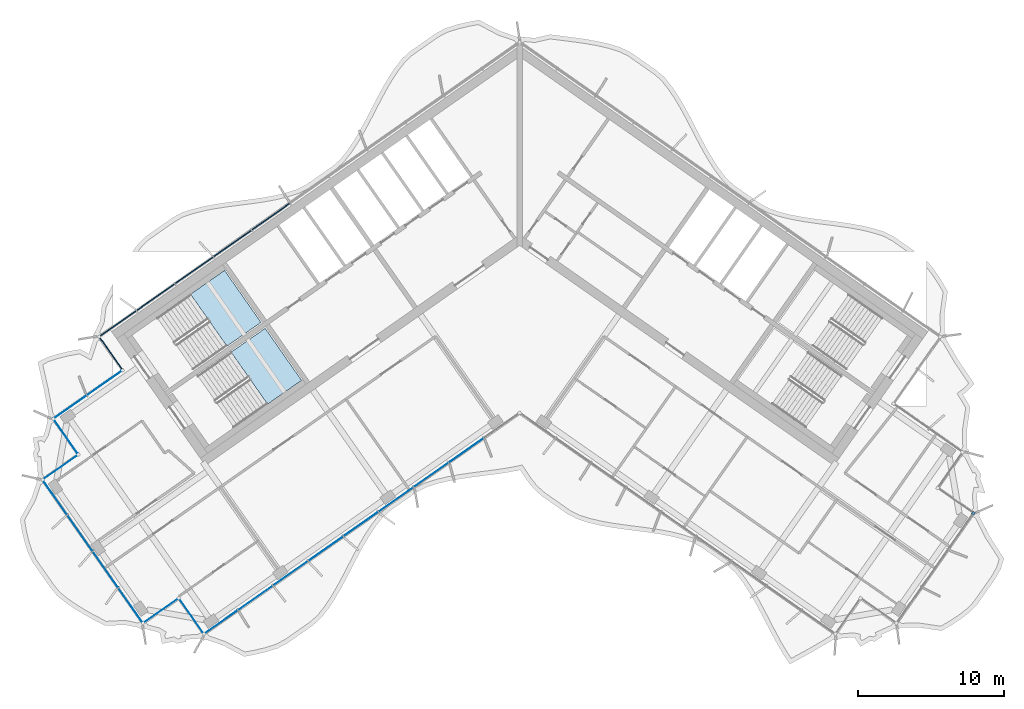
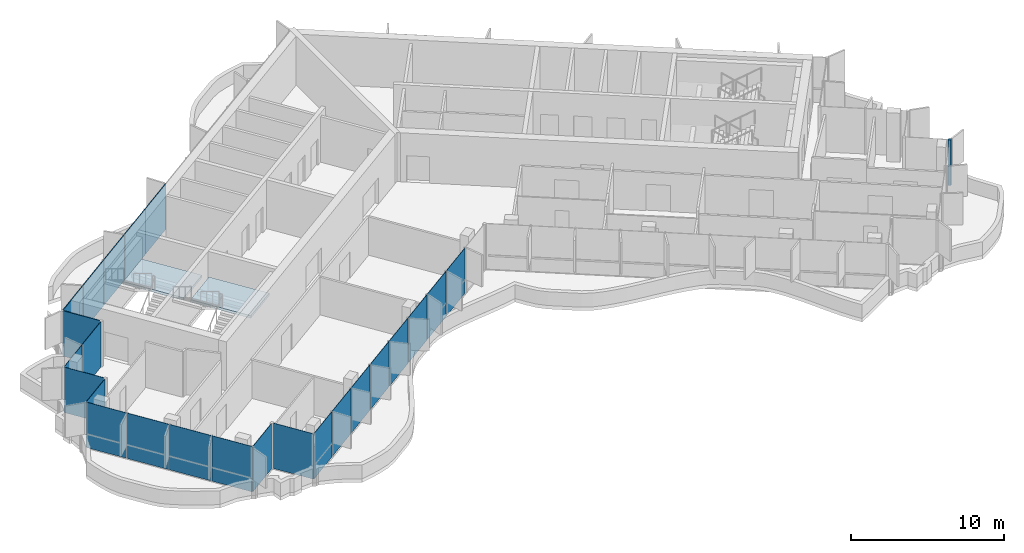
# One storey, part 7 of 18: 24 plates, 2 slabs, 1 member, 4 elements without a shape of their own.
"""IFC4 building model written with IfcOpenShell, lengths in metres."""

from ifc_helpers import new_model, si_unit, direction, frame, origin, origin_2d, place, context, subcontext, project, spatial, polyline, rectangle, outline, extrude, material, layer, layer_set, material_profile, profile_set, type_object, element, aggregate, save


model = new_model("IFC4")

# Units and contexts
model_context = context("Model", 3, precision=1e-05, world=origin(), true_north=direction((0.0, 1.0)))
body_context = subcontext(model_context, "Body", "Model", "MODEL_VIEW")
ifc_project = project(units=[si_unit("LENGTHUNIT", "METRE"), si_unit("AREAUNIT", "SQUARE_METRE"), si_unit("VOLUMEUNIT", "CUBIC_METRE"), si_unit("PLANEANGLEUNIT", "RADIAN"), si_unit("MASSUNIT", "GRAM", prefix="KILO")], contexts=[model_context])

# Site, building, storey
site_placement = place(None, origin())
site = spatial("IfcSite", under=ifc_project, at=site_placement, CompositionType="ELEMENT")
building_placement = place(site_placement, origin())
building = spatial("IfcBuilding", under=site, at=building_placement, Name="Tel Ilan Convention Tower", CompositionType="ELEMENT")
storey_placement = place(building_placement, frame((0.0, 0.0, 256.60009765625)))
storey = spatial("IfcBuildingStorey", under=building, at=storey_placement, Name="L60", CompositionType="ELEMENT", Elevation=256.60009765625)

# Curtain wall, member
ifc_material_1 = material(Name="Aluminium, bronze anodised", Category="aluminium")
curtain_wall_type_1 = type_object("IfcCurtainWallType", Name="CW5 STICK CURTAIN WALL, UPPER OFFICE LOW-IRON TINTED GLASS", PredefinedType="NOTDEFINED", material=ifc_material_1)
curtain_wall_1_placement = place(storey_placement, origin())
curtain_wall_1 = element("IfcCurtainWall", 1, at=curtain_wall_1_placement, inside=storey, type_object=curtain_wall_type_1, Name="Curtain wall CW5-46.02", PredefinedType="NOTDEFINED")
ifc_material_2 = material(Name="Aluminium, bronze anodised", Category="aluminium")
ifc_material_profile = material_profile(ifc_material_2, rectangle(XDim=0.199951171875, YDim=0.199951171875, at=origin_2d()), Name="CW CORNER MULLION 200x200")
ifc_profile_set = profile_set([ifc_material_profile], Name="Aluminium, bronze anodised")
member_type = type_object("IfcMemberType", Name="CW CORNER MULLION 200x200", PredefinedType="MULLION", material=ifc_profile_set)
member_placement = place(storey_placement, frame((31.09521484375, -19.57568359375, 0.0), z_axis=(0.0, 0.0, 1.0), x_axis=(0.573576436351, 0.819152044289, 0.0)))
member = element("IfcMember", 2, at=member_placement, type_object=member_type, Name="Corner mullion", PredefinedType="MULLION", context=body_context, shape_type="SweptSolid", body=[
    extrude(rectangle(XDim=0.199951171875, YDim=0.199951171875, at=origin_2d()), origin(), (0.0, 0.0, 1.0), 3.619873046875),
])

# Curtain wall, plates
ifc_material_3 = material(Name="Aluminium, bronze anodised", Category="aluminium")
curtain_wall_type_2 = type_object("IfcCurtainWallType", Name="CW2 STICK CURTAIN WALL, SPANDREL PANELS", PredefinedType="NOTDEFINED", material=ifc_material_3)
curtain_wall_2_placement = place(storey_placement, origin())
curtain_wall_2 = element("IfcCurtainWall", 3, at=curtain_wall_2_placement, inside=storey, type_object=curtain_wall_type_2, Name="Curtain wall CW2-46.01", PredefinedType="NOTDEFINED")
ifc_material_4 = material(Name="Aluminium composite panel, bronze anodised", Category="aluminium")
ifc_layer_1 = layer(ifc_material_4, 0.06005859375)
ifc_layer_set_1 = layer_set([ifc_layer_1], Name="CW SPANDREL PANEL 60")
plate_type_1 = type_object("IfcPlateType", Name="CW SPANDREL PANEL 60", PredefinedType="CURTAIN_PANEL", material=ifc_layer_set_1)
plate_1_placement = place(storey_placement, frame((-17.0546875, 0.754150390625, -0.000244140625), z_axis=(0.0, 0.0, 1.0), x_axis=(-0.819152044289, -0.573576436351, 0.0)))
plate_1 = element("IfcPlate", 4, at=plate_1_placement, type_object=plate_type_1, Name="Spandrel panel", PredefinedType="CURTAIN_PANEL", context=body_context, shape_type="SweptSolid", body=[
    extrude(rectangle(XDim=3.15380859375, YDim=0.06005859375, at=origin_2d()), origin(), (0.0, 0.0, 1.0), 3.6201171875),
])
plate_2_placement = place(storey_placement, frame((-19.687255859375, -1.089111328125, -0.000244140625), z_axis=(0.0, 0.0, 1.0), x_axis=(-0.819152044289, -0.573576436351, 0.0)))
plate_2 = element("IfcPlate", 5, at=plate_2_placement, type_object=plate_type_1, Name="Spandrel panel", PredefinedType="CURTAIN_PANEL", context=body_context, shape_type="SweptSolid", body=[
    extrude(rectangle(XDim=3.15380859375, YDim=0.06005859375, at=origin_2d()), origin(), (0.0, 0.0, 1.0), 3.6201171875),
])
plate_3_placement = place(storey_placement, frame((-22.31982421875, -2.9326171875, -0.000244140625), z_axis=(0.0, 0.0, 1.0), x_axis=(-0.819152044289, -0.573576436351, 0.0)))
plate_3 = element("IfcPlate", 6, at=plate_3_placement, type_object=plate_type_1, Name="Spandrel panel", PredefinedType="CURTAIN_PANEL", context=body_context, shape_type="SweptSolid", body=[
    extrude(rectangle(XDim=3.15380859375, YDim=0.06005859375, at=origin_2d()), origin(), (0.0, 0.0, 1.0), 3.6201171875),
])
plate_4_placement = place(storey_placement, frame((-24.95263671875, -4.77587890625, -0.000244140625), z_axis=(0.0, 0.0, 1.0), x_axis=(-0.819152044289, -0.573576436351, 0.0)))
plate_4 = element("IfcPlate", 7, at=plate_4_placement, type_object=plate_type_1, Name="Spandrel panel", PredefinedType="CURTAIN_PANEL", context=body_context, shape_type="SweptSolid", body=[
    extrude(rectangle(XDim=3.15380859375, YDim=0.06005859375, at=origin_2d()), origin(), (0.0, 0.0, 1.0), 3.6201171875),
])
plate_5_placement = place(storey_placement, frame((-27.5400390625, -6.587646484375, -0.000244140625), z_axis=(0.0, 0.0, 1.0), x_axis=(-0.819152044289, -0.573576436351, 0.0)))
plate_5 = element("IfcPlate", 8, at=plate_5_placement, type_object=plate_type_1, Name="Spandrel panel", PredefinedType="CURTAIN_PANEL", context=body_context, shape_type="SweptSolid", body=[
    extrude(rectangle(XDim=3.0439453125, YDim=0.06005859375, at=origin_2d()), origin(), (0.0, 0.0, 1.0), 3.6201171875),
])
plate_6_placement = place(storey_placement, frame((-28.033935546875, -8.60546875, -0.000244140625), z_axis=(0.0, 0.0, 1.0), x_axis=(0.573576436351, -0.819152044289, 0.0)))
plate_6 = element("IfcPlate", 9, at=plate_6_placement, type_object=plate_type_1, Name="Spandrel panel", PredefinedType="CURTAIN_PANEL", context=body_context, shape_type="SweptSolid", body=[
    extrude(rectangle(XDim=2.658935546875, YDim=0.06005859375, at=origin_2d()), origin(), (0.0, 0.0, 1.0), 3.6201171875),
])
aggregate(curtain_wall_2, [plate_1, plate_2, plate_3, plate_4, plate_5, plate_6])

# Plate
ifc_material_5 = material(Name="Glass, low-iron bronze tinted, two-ply", Category="glass")
ifc_layer_2 = layer(ifc_material_5, 0.031982421875)
ifc_layer_set_2 = layer_set([ifc_layer_2], Name="CW UPPER GLASS PANEL 32")
plate_type_2 = type_object("IfcPlateType", Name="CW UPPER GLASS PANEL 32", PredefinedType="CURTAIN_PANEL", material=ifc_layer_set_2)
plate_7_placement = place(storey_placement, frame((-28.471435546875, -10.657958984375, -0.000244140625), z_axis=(0.0, 0.0, 1.0), x_axis=(-0.819152044289, -0.573576436351, 0.0)))
plate_7 = element("IfcPlate", 10, at=plate_7_placement, type_object=plate_type_2, Name="Glass panel", PredefinedType="CURTAIN_PANEL", context=body_context, shape_type="SweptSolid", body=[
    extrude(rectangle(XDim=2.868896484375, YDim=0.028076171875, at=origin_2d()), origin(), (0.0, 0.0, 1.0), 3.6201171875),
])

plate_8_placement = place(storey_placement, frame((-30.8203125, -12.302734375, -0.000244140625), z_axis=(0.0, 0.0, 1.0), x_axis=(-0.819152044289, -0.573576436351, 0.0)))
plate_8 = element("IfcPlate", 11, at=plate_8_placement, type_object=plate_type_2, Name="Glass panel", PredefinedType="CURTAIN_PANEL", context=body_context, shape_type="SweptSolid", body=[
    extrude(rectangle(XDim=2.74609375, YDim=0.028076171875, at=origin_2d()), origin(), (0.0, 0.0, 1.0), 3.6201171875),
])

plate_9_placement = place(storey_placement, frame((-31.126220703125, -14.30126953125, -0.000244140625), z_axis=(0.0, 0.0, 1.0), x_axis=(0.573576436351, -0.819152044289, 0.0)))
plate_9 = element("IfcPlate", 12, at=plate_9_placement, type_object=plate_type_2, Name="Glass panel", PredefinedType="CURTAIN_PANEL", context=body_context, shape_type="SweptSolid", body=[
    extrude(rectangle(XDim=2.875, YDim=0.028076171875, at=origin_2d()), origin(), (0.0, 0.0, 1.0), 3.6201171875),
])

plate_10_placement = place(storey_placement, frame((-31.504150390625, -16.44384765625, -0.000244140625), z_axis=(0.0, 0.0, 1.0), x_axis=(-0.819152044289, -0.573576436351, 0.0)))
plate_10 = element("IfcPlate", 13, at=plate_10_placement, type_object=plate_type_2, Name="Glass panel", PredefinedType="CURTAIN_PANEL", context=body_context, shape_type="SweptSolid", body=[
    extrude(rectangle(XDim=2.875, YDim=0.028076171875, at=origin_2d()), origin(), (0.0, 0.0, 1.0), 3.6201171875),
])

plate_11_placement = place(storey_placement, frame((-31.85693359375, -18.488037109375, -0.000244140625), z_axis=(0.0, 0.0, 1.0), x_axis=(0.573576436351, -0.819152044289, 0.0)))
plate_11 = element("IfcPlate", 14, at=plate_11_placement, type_object=plate_type_2, Name="Glass panel", PredefinedType="CURTAIN_PANEL", context=body_context, shape_type="SweptSolid", body=[
    extrude(rectangle(XDim=2.89599609375, YDim=0.028076171875, at=origin_2d()), origin(), (0.0, 0.0, 1.0), 3.6201171875),
])

plate_12_placement = place(storey_placement, frame((-30.134521484375, -20.94775390625, -0.000244140625), z_axis=(0.0, 0.0, 1.0), x_axis=(0.573576436351, -0.819152044289, 0.0)))
plate_12 = element("IfcPlate", 15, at=plate_12_placement, type_object=plate_type_2, Name="Glass panel", PredefinedType="CURTAIN_PANEL", context=body_context, shape_type="SweptSolid", body=[
    extrude(rectangle(XDim=2.989990234375, YDim=0.028076171875, at=origin_2d()), origin(), (0.0, 0.0, 1.0), 3.6201171875),
])

plate_13_placement = place(storey_placement, frame((-28.38525390625, -23.4462890625, -0.000244140625), z_axis=(0.0, 0.0, 1.0), x_axis=(0.573576436351, -0.819152044289, 0.0)))
plate_13 = element("IfcPlate", 16, at=plate_13_placement, type_object=plate_type_2, Name="Glass panel", PredefinedType="CURTAIN_PANEL", context=body_context, shape_type="SweptSolid", body=[
    extrude(rectangle(XDim=2.989990234375, YDim=0.028076171875, at=origin_2d()), origin(), (0.0, 0.0, 1.0), 3.6201171875),
])

plate_14_placement = place(storey_placement, frame((-26.66259765625, -25.90625, -0.000244140625), z_axis=(0.0, 0.0, 1.0), x_axis=(0.573576436351, -0.819152044289, 0.0)))
plate_14 = element("IfcPlate", 17, at=plate_14_placement, type_object=plate_type_2, Name="Glass panel", PredefinedType="CURTAIN_PANEL", context=body_context, shape_type="SweptSolid", body=[
    extrude(rectangle(XDim=2.89599609375, YDim=0.028076171875, at=origin_2d()), origin(), (0.0, 0.0, 1.0), 3.6201171875),
])

plate_15_placement = place(storey_placement, frame((-24.621337890625, -26.273681640625, -0.000244140625), z_axis=(0.0, 0.0, 1.0), x_axis=(0.819152044289, 0.573576436351, 0.0)))
plate_15 = element("IfcPlate", 18, at=plate_15_placement, type_object=plate_type_2, Name="Glass panel", PredefinedType="CURTAIN_PANEL", context=body_context, shape_type="SweptSolid", body=[
    extrude(rectangle(XDim=2.875, YDim=0.028076171875, at=origin_2d()), origin(), (0.0, 0.0, 1.0), 3.6201171875),
])

plate_16_placement = place(storey_placement, frame((-22.478515625, -26.651611328125, -0.000244140625), z_axis=(0.0, 0.0, 1.0), x_axis=(0.573576436351, -0.819152044289, 0.0)))
plate_16 = element("IfcPlate", 19, at=plate_16_placement, type_object=plate_type_2, Name="Glass panel", PredefinedType="CURTAIN_PANEL", context=body_context, shape_type="SweptSolid", body=[
    extrude(rectangle(XDim=2.875, YDim=0.028076171875, at=origin_2d()), origin(), (0.0, 0.0, 1.0), 3.6201171875),
])

plate_17_placement = place(storey_placement, frame((-20.47998046875, -27.036376953125, -0.000244140625), z_axis=(0.0, 0.0, 1.0), x_axis=(0.819152044289, 0.573576436351, 0.0)))
plate_17 = element("IfcPlate", 20, at=plate_17_placement, type_object=plate_type_2, Name="Glass panel", PredefinedType="CURTAIN_PANEL", context=body_context, shape_type="SweptSolid", body=[
    extrude(rectangle(XDim=2.78466796875, YDim=0.028076171875, at=origin_2d()), origin(), (0.0, 0.0, 1.0), 3.6201171875),
])

plate_18_placement = place(storey_placement, frame((-18.111328125, -25.377685546875, -0.000244140625), z_axis=(0.0, 0.0, 1.0), x_axis=(0.819152044289, 0.573576436351, 0.0)))
plate_18 = element("IfcPlate", 21, at=plate_18_placement, type_object=plate_type_2, Name="Glass panel", PredefinedType="CURTAIN_PANEL", context=body_context, shape_type="SweptSolid", body=[
    extrude(rectangle(XDim=2.878662109375, YDim=0.028076171875, at=origin_2d()), origin(), (0.0, 0.0, 1.0), 3.6201171875),
])

plate_19_placement = place(storey_placement, frame((-15.7041015625, -23.692138671875, -0.000244140625), z_axis=(0.0, 0.0, 1.0), x_axis=(0.819152044289, 0.573576436351, 0.0)))
plate_19 = element("IfcPlate", 22, at=plate_19_placement, type_object=plate_type_2, Name="Glass panel", PredefinedType="CURTAIN_PANEL", context=body_context, shape_type="SweptSolid", body=[
    extrude(rectangle(XDim=2.878662109375, YDim=0.028076171875, at=origin_2d()), origin(), (0.0, 0.0, 1.0), 3.6201171875),
])

plate_20_placement = place(storey_placement, frame((-13.296875, -22.006591796875, -0.000244140625), z_axis=(0.0, 0.0, 1.0), x_axis=(0.819152044289, 0.573576436351, 0.0)))
plate_20 = element("IfcPlate", 23, at=plate_20_placement, type_object=plate_type_2, Name="Glass panel", PredefinedType="CURTAIN_PANEL", context=body_context, shape_type="SweptSolid", body=[
    extrude(rectangle(XDim=2.878662109375, YDim=0.028076171875, at=origin_2d()), origin(), (0.0, 0.0, 1.0), 3.6201171875),
])

plate_21_placement = place(storey_placement, frame((-10.8896484375, -20.321044921875, -0.000244140625), z_axis=(0.0, 0.0, 1.0), x_axis=(0.819152044289, 0.573576436351, 0.0)))
plate_21 = element("IfcPlate", 24, at=plate_21_placement, type_object=plate_type_2, Name="Glass panel", PredefinedType="CURTAIN_PANEL", context=body_context, shape_type="SweptSolid", body=[
    extrude(rectangle(XDim=2.878662109375, YDim=0.028076171875, at=origin_2d()), origin(), (0.0, 0.0, 1.0), 3.6201171875),
])

plate_22_placement = place(storey_placement, frame((-8.482666015625, -18.635498046875, -0.000244140625), z_axis=(0.0, 0.0, 1.0), x_axis=(0.819152044289, 0.573576436351, 0.0)))
plate_22 = element("IfcPlate", 25, at=plate_22_placement, type_object=plate_type_2, Name="Glass panel", PredefinedType="CURTAIN_PANEL", context=body_context, shape_type="SweptSolid", body=[
    extrude(rectangle(XDim=2.878662109375, YDim=0.028076171875, at=origin_2d()), origin(), (0.0, 0.0, 1.0), 3.6201171875),
])

plate_23_placement = place(storey_placement, frame((-6.075439453125, -16.949951171875, -0.000244140625), z_axis=(0.0, 0.0, 1.0), x_axis=(0.819152044289, 0.573576436351, 0.0)))
plate_23 = element("IfcPlate", 26, at=plate_23_placement, type_object=plate_type_2, Name="Glass panel", PredefinedType="CURTAIN_PANEL", context=body_context, shape_type="SweptSolid", body=[
    extrude(rectangle(XDim=2.878662109375, YDim=0.028076171875, at=origin_2d()), origin(), (0.0, 0.0, 1.0), 3.6201171875),
])

plate_24_placement = place(storey_placement, frame((-3.668212890625, -15.264404296875, -0.000244140625), z_axis=(0.0, 0.0, 1.0), x_axis=(0.819152044289, 0.573576436351, 0.0)))
plate_24 = element("IfcPlate", 27, at=plate_24_placement, type_object=plate_type_2, Name="Glass panel", PredefinedType="CURTAIN_PANEL", context=body_context, shape_type="SweptSolid", body=[
    extrude(rectangle(XDim=2.878662109375, YDim=0.028076171875, at=origin_2d()), origin(), (0.0, 0.0, 1.0), 3.6201171875),
])

aggregate(curtain_wall_1, [plate_7, plate_8, plate_9, plate_10, plate_11, plate_12, plate_13, plate_14, plate_15, plate_16, plate_17, plate_18, plate_19, plate_20, plate_21, plate_22, plate_23, plate_24, member])

# Stair, slab
ifc_material_6 = material(Name="Concrete C40/50", Category="concrete")
stair_type = type_object("IfcStairType", Name="Pressurised Exit Stair 22 risers 177 mm", PredefinedType="HALF_TURN_STAIR", material=ifc_material_6)
stair_1_placement = place(storey_placement, origin())
stair_1 = element("IfcStair", 28, at=stair_1_placement, inside=storey, type_object=stair_type, Name="L60 Pressurised Stair S1", PredefinedType="HALF_TURN_STAIR")
ifc_material_7 = material(Name="Concrete C40/50", Category="concrete")
ifc_layer_3 = layer(ifc_material_7, 0.199951171875)
ifc_layer_set_3 = layer_set([ifc_layer_3], Name="Concrete Stair Landing 200 mm C40/50")
slab_type = type_object("IfcSlabType", Name="Concrete Stair Landing 200 mm", PredefinedType="LANDING", material=ifc_layer_set_3)
slab_1_placement = place(storey_placement, frame((0.0, 0.0, 1.75)))
slab_1 = element("IfcSlab", 29, at=slab_1_placement, type_object=slab_type, Name="S1 landing 1", PredefinedType="LANDING", context=body_context, shape_type="SweptSolid", body=[
    extrude(outline(polyline([(-20.066650390625, -8.130126953125), (-17.7314453125, -6.494873046875), (-20.226318359375, -2.931640625), (-22.561767578125, -4.566650390625), (-20.066650390625, -8.130126953125)])), origin(), (0.0, 0.0, 1.0), 0.199951171875),
])
aggregate(stair_1, [slab_1])

stair_2_placement = place(storey_placement, origin())
stair_2 = element("IfcStair", 30, at=stair_2_placement, inside=storey, type_object=stair_type, Name="L60 Pressurised Stair S2", PredefinedType="HALF_TURN_STAIR")
slab_2_placement = place(storey_placement, frame((0.0, 0.0, 1.75)))
slab_2 = element("IfcSlab", 31, at=slab_2_placement, type_object=slab_type, Name="S2 landing 1", PredefinedType="LANDING", context=body_context, shape_type="SweptSolid", body=[
    extrude(outline(polyline([(-17.28466796875, -12.10302734375), (-14.949462890625, -10.4677734375), (-17.444580078125, -6.904541015625), (-19.77978515625, -8.53955078125), (-17.28466796875, -12.10302734375)])), origin(), (0.0, 0.0, 1.0), 0.199951171875),
])
aggregate(stair_2, [slab_2])

save(model, "model.ifc")
